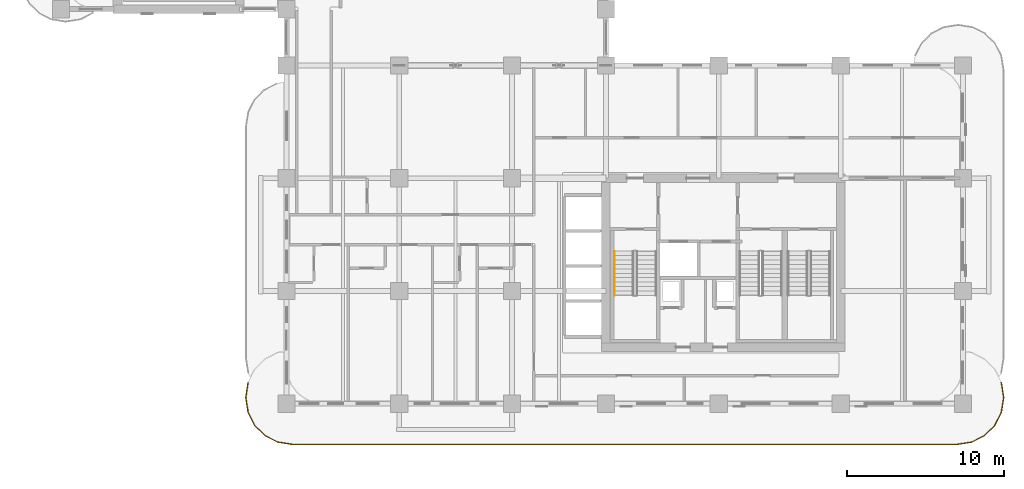
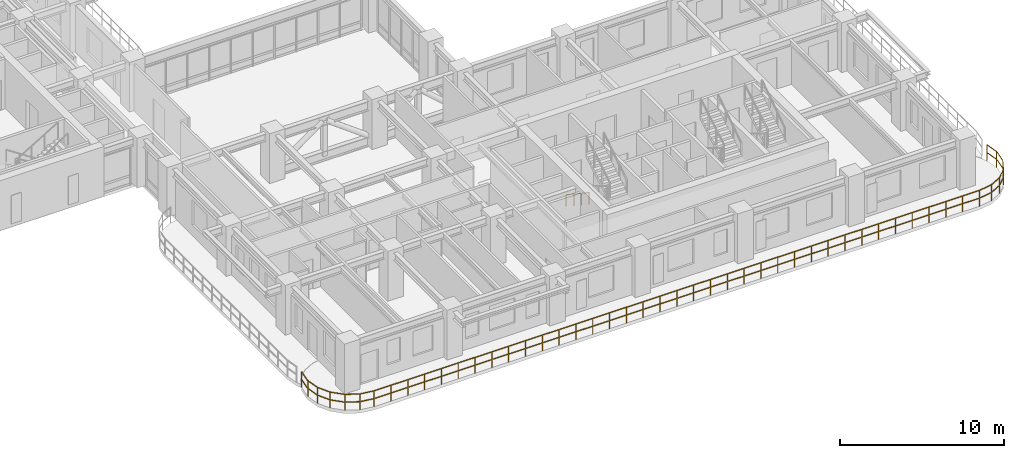
# One storey, part 18 of 21: 2 railings.
"""IFC4 building model written with IfcOpenShell, lengths in metres."""

from ifc_helpers import new_model, si_unit, derived_unit, direction, frame, origin, origin_2d, place, context, subcontext, project, spatial, rectangle, extrude, material, type_object, element, save


model = new_model("IFC4")

# Units and contexts
model_context = context("Model", 3, precision=1e-05, world=origin(), true_north=direction((0.0, 1.0)))
body_context = subcontext(model_context, "Body", "Model", "MODEL_VIEW")
ifc_project = project(units=[si_unit("LENGTHUNIT", "METRE"), si_unit("AREAUNIT", "SQUARE_METRE"), si_unit("VOLUMEUNIT", "CUBIC_METRE"), si_unit("PLANEANGLEUNIT", "RADIAN"), si_unit("MASSUNIT", "GRAM", prefix="KILO"), si_unit("THERMODYNAMICTEMPERATUREUNIT", "KELVIN"), si_unit("POWERUNIT", "WATT"), derived_unit("THERMALTRANSMITTANCEUNIT", [(si_unit("POWERUNIT", "WATT"), 1), (si_unit("AREAUNIT", "SQUARE_METRE"), -1), (si_unit("THERMODYNAMICTEMPERATUREUNIT", "KELVIN"), -1)])], contexts=[model_context])

# Site, building, storey
site_placement = place(None, origin())
site = spatial("IfcSite", under=ifc_project, at=site_placement, CompositionType="ELEMENT")
building_placement = place(site_placement, origin())
building = spatial("IfcBuilding", under=site, at=building_placement, Name="Zahravan Archway Hotel and Residences", CompositionType="ELEMENT")
storey_placement = place(building_placement, frame((0.0, 0.0, 69.39990234375)))
storey = spatial("IfcBuildingStorey", under=building, at=storey_placement, Name="L16", CompositionType="ELEMENT", Elevation=69.39990234375)

# Railings
ifc_material_1 = material(Name="Bronze & Laminated Glass Balustrade", Category="glass")
railing_type_1 = type_object("IfcRailingType", Name="RL-BAL-1200", PredefinedType="BALUSTRADE", material=ifc_material_1)
railing_1_placement = place(storey_placement, frame((60.0556640625, 1.361572265625, 0.0)))
element("IfcRailing", 1, at=railing_1_placement, inside=storey, type_object=railing_type_1, Name="L16 Balustrade RL-SLB-BAL-L16-SA-1", PredefinedType="BALUSTRADE", context=body_context, shape_type="SweptSolid", body=[
    extrude(rectangle(XDim=0.048095703125, YDim=0.048095703125, at=origin_2d()), frame((0.0, 0.0, 1.17578125), z_axis=(0.156329311416, -0.987704989555, 0.0), x_axis=(0.987704989555, 0.156329311416, 0.0)), (0.0, 0.0, 1.0), 0.9228515625),
    extrude(rectangle(XDim=0.048095703125, YDim=0.048095703125, at=origin_2d()), frame((0.0, 0.0, 0.60009765625), z_axis=(0.156329311416, -0.987704989555, 0.0), x_axis=(0.987704989555, 0.156329311416, 0.0)), (0.0, 0.0, 1.0), 0.9228515625),
    extrude(rectangle(XDim=0.048095703125, YDim=0.048095703125, at=origin_2d()), frame((0.144287109375, -0.91162109375, 1.17578125), z_axis=(0.0, -1.0, 0.0), x_axis=(1.0, 0.0, 0.0)), (0.0, 0.0, 1.0), 0.099853515625),
    extrude(rectangle(XDim=0.048095703125, YDim=0.048095703125, at=origin_2d()), frame((0.144287109375, -0.91162109375, 0.60009765625), z_axis=(0.0, -1.0, 0.0), x_axis=(1.0, 0.0, 0.0)), (0.0, 0.0, 1.0), 0.099853515625),
    extrude(rectangle(XDim=0.048095703125, YDim=0.048095703125, at=origin_2d()), frame((0.144287109375, -1.011474609375, 1.17578125), z_axis=(-0.156329311416, -0.987704989555, 0.0), x_axis=(0.987704989555, -0.156329311416, 0.0)), (0.0, 0.0, 1.0), 0.9228515625),
    extrude(rectangle(XDim=0.048095703125, YDim=0.048095703125, at=origin_2d()), frame((0.144287109375, -1.011474609375, 0.60009765625), z_axis=(-0.156329311416, -0.987704989555, 0.0), x_axis=(0.987704989555, -0.156329311416, 0.0)), (0.0, 0.0, 1.0), 0.9228515625),
    extrude(rectangle(XDim=0.048095703125, YDim=0.048095703125, at=origin_2d()), frame((0.0, -1.923095703125, 1.17578125), z_axis=(-0.453866348456, -0.891069771532, 0.0), x_axis=(0.891069771532, -0.453866348456, 0.0)), (0.0, 0.0, 1.0), 0.923095703125),
    extrude(rectangle(XDim=0.048095703125, YDim=0.048095703125, at=origin_2d()), frame((0.0, -1.923095703125, 0.60009765625), z_axis=(-0.453866348456, -0.891069771532, 0.0), x_axis=(0.891069771532, -0.453866348456, 0.0)), (0.0, 0.0, 1.0), 0.923095703125),
    extrude(rectangle(XDim=0.048095703125, YDim=0.048095703125, at=origin_2d()), frame((-0.4189453125, -2.74560546875, 1.17578125), z_axis=(-0.707239012465, -0.706974525176, 0.0), x_axis=(0.706974525176, -0.707239012465, 0.0)), (0.0, 0.0, 1.0), 0.923095703125),
    extrude(rectangle(XDim=0.048095703125, YDim=0.048095703125, at=origin_2d()), frame((-0.4189453125, -2.74560546875, 0.60009765625), z_axis=(-0.707239012465, -0.706974525176, 0.0), x_axis=(0.706974525176, -0.707239012465, 0.0)), (0.0, 0.0, 1.0), 0.923095703125),
    extrude(rectangle(XDim=0.048095703125, YDim=0.048095703125, at=origin_2d()), frame((-1.07177734375, -3.398193359375, 1.17578125), z_axis=(-0.891015268556, -0.453973337542, 0.0), x_axis=(0.453973337542, -0.891015268556, 0.0)), (0.0, 0.0, 1.0), 0.9228515625),
    extrude(rectangle(XDim=0.048095703125, YDim=0.048095703125, at=origin_2d()), frame((-1.07177734375, -3.398193359375, 0.60009765625), z_axis=(-0.891015268556, -0.453973337542, 0.0), x_axis=(0.453973337542, -0.891015268556, 0.0)), (0.0, 0.0, 1.0), 0.9228515625),
    extrude(rectangle(XDim=0.048095703125, YDim=0.048095703125, at=origin_2d()), frame((-1.89404296875, -3.817138671875, 1.17578125), z_axis=(-0.98766411426, -0.156587347521, 0.0), x_axis=(0.156587347521, -0.98766411426, 0.0)), (0.0, 0.0, 1.0), 0.923095703125),
    extrude(rectangle(XDim=0.048095703125, YDim=0.048095703125, at=origin_2d()), frame((-1.89404296875, -3.817138671875, 0.60009765625), z_axis=(-0.98766411426, -0.156587347521, 0.0), x_axis=(0.156587347521, -0.98766411426, 0.0)), (0.0, 0.0, 1.0), 0.923095703125),
    extrude(rectangle(XDim=0.048095703125, YDim=0.048095703125, at=origin_2d()), frame((-2.8056640625, -3.961669921875, 1.17578125), z_axis=(-1.0, 0.0, 0.0), x_axis=(0.0, -1.0, 0.0)), (0.0, 0.0, 1.0), 42.5),
    extrude(rectangle(XDim=0.048095703125, YDim=0.048095703125, at=origin_2d()), frame((-2.8056640625, -3.961669921875, 0.60009765625), z_axis=(-1.0, 0.0, 0.0), x_axis=(0.0, -1.0, 0.0)), (0.0, 0.0, 1.0), 42.5),
    extrude(rectangle(XDim=0.048095703125, YDim=0.048095703125, at=origin_2d()), frame((-45.3056640625, -3.961669921875, 1.17578125), z_axis=(-0.98766411426, 0.156587347521, 0.0), x_axis=(-0.156587347521, -0.98766411426, 0.0)), (0.0, 0.0, 1.0), 0.923095703125),
    extrude(rectangle(XDim=0.048095703125, YDim=0.048095703125, at=origin_2d()), frame((-45.3056640625, -3.961669921875, 0.60009765625), z_axis=(-0.98766411426, 0.156587347521, 0.0), x_axis=(-0.156587347521, -0.98766411426, 0.0)), (0.0, 0.0, 1.0), 0.923095703125),
    extrude(rectangle(XDim=0.048095703125, YDim=0.048095703125, at=origin_2d()), frame((-46.21728515625, -3.817138671875, 1.17578125), z_axis=(-0.891015268556, 0.453973337542, 0.0), x_axis=(-0.453973337542, -0.891015268556, 0.0)), (0.0, 0.0, 1.0), 0.9228515625),
    extrude(rectangle(XDim=0.048095703125, YDim=0.048095703125, at=origin_2d()), frame((-46.21728515625, -3.817138671875, 0.60009765625), z_axis=(-0.891015268556, 0.453973337542, 0.0), x_axis=(-0.453973337542, -0.891015268556, 0.0)), (0.0, 0.0, 1.0), 0.9228515625),
    extrude(rectangle(XDim=0.048095703125, YDim=0.048095703125, at=origin_2d()), frame((-47.03955078125, -3.398193359375, 1.17578125), z_axis=(-0.707239012465, 0.706974525176, 0.0), x_axis=(-0.706974525176, -0.707239012465, 0.0)), (0.0, 0.0, 1.0), 0.923095703125),
    extrude(rectangle(XDim=0.048095703125, YDim=0.048095703125, at=origin_2d()), frame((-47.03955078125, -3.398193359375, 0.60009765625), z_axis=(-0.707239012465, 0.706974525176, 0.0), x_axis=(-0.706974525176, -0.707239012465, 0.0)), (0.0, 0.0, 1.0), 0.923095703125),
    extrude(rectangle(XDim=0.048095703125, YDim=0.048095703125, at=origin_2d()), frame((-47.6923828125, -2.74560546875, 1.17578125), z_axis=(-0.453866348456, 0.891069771532, 0.0), x_axis=(-0.891069771532, -0.453866348456, 0.0)), (0.0, 0.0, 1.0), 0.923095703125),
    extrude(rectangle(XDim=0.048095703125, YDim=0.048095703125, at=origin_2d()), frame((-47.6923828125, -2.74560546875, 0.60009765625), z_axis=(-0.453866348456, 0.891069771532, 0.0), x_axis=(-0.891069771532, -0.453866348456, 0.0)), (0.0, 0.0, 1.0), 0.923095703125),
    extrude(rectangle(XDim=0.048095703125, YDim=0.048095703125, at=origin_2d()), frame((-48.111328125, -1.923095703125, 1.17578125), z_axis=(-0.156329311416, 0.987704989555, 0.0), x_axis=(-0.987704989555, -0.156329311416, 0.0)), (0.0, 0.0, 1.0), 0.9228515625),
    extrude(rectangle(XDim=0.048095703125, YDim=0.048095703125, at=origin_2d()), frame((-48.111328125, -1.923095703125, 0.60009765625), z_axis=(-0.156329311416, 0.987704989555, 0.0), x_axis=(-0.987704989555, -0.156329311416, 0.0)), (0.0, 0.0, 1.0), 0.9228515625),
    extrude(rectangle(XDim=0.048095703125, YDim=0.048095703125, at=origin_2d()), frame((-48.255615234375, -1.011474609375, 1.17578125), z_axis=(0.0, 1.0, 0.0), x_axis=(-1.0, 0.0, 0.0)), (0.0, 0.0, 1.0), 0.099853515625),
    extrude(rectangle(XDim=0.048095703125, YDim=0.048095703125, at=origin_2d()), frame((-48.255615234375, -1.011474609375, 0.60009765625), z_axis=(0.0, 1.0, 0.0), x_axis=(-1.0, 0.0, 0.0)), (0.0, 0.0, 1.0), 0.099853515625),
    extrude(rectangle(XDim=0.048095703125, YDim=0.048095703125, at=origin_2d()), frame((-48.255615234375, -0.91162109375, 1.17578125), z_axis=(0.156329311416, 0.987704989555, 0.0), x_axis=(-0.987704989555, 0.156329311416, 0.0)), (0.0, 0.0, 1.0), 0.9228515625),
    extrude(rectangle(XDim=0.048095703125, YDim=0.048095703125, at=origin_2d()), frame((-48.255615234375, -0.91162109375, 0.60009765625), z_axis=(0.156329311416, 0.987704989555, 0.0), x_axis=(-0.987704989555, 0.156329311416, 0.0)), (0.0, 0.0, 1.0), 0.9228515625),
    extrude(rectangle(XDim=0.0419921875, YDim=0.0419921875, at=origin_2d()), origin(), (0.0, 0.0, 1.0), 1.15185546875),
    extrude(rectangle(XDim=0.0419921875, YDim=0.0419921875, at=origin_2d()), frame((0.144287109375, -0.91162109375, 0.0)), (0.0, 0.0, 1.0), 1.15185546875),
    extrude(rectangle(XDim=0.0419921875, YDim=0.0419921875, at=origin_2d()), frame((0.0, -1.923095703125, 0.0)), (0.0, 0.0, 1.0), 1.15185546875),
    extrude(rectangle(XDim=0.0419921875, YDim=0.0419921875, at=origin_2d()), frame((-0.4189453125, -2.74560546875, 0.0)), (0.0, 0.0, 1.0), 1.15185546875),
    extrude(rectangle(XDim=0.0419921875, YDim=0.0419921875, at=origin_2d()), frame((-1.07177734375, -3.398193359375, 0.0)), (0.0, 0.0, 1.0), 1.15185546875),
    extrude(rectangle(XDim=0.0419921875, YDim=0.0419921875, at=origin_2d()), frame((-1.89404296875, -3.817138671875, 0.0)), (0.0, 0.0, 1.0), 1.15185546875),
    extrude(rectangle(XDim=0.0419921875, YDim=0.0419921875, at=origin_2d()), frame((-2.8056640625, -3.961669921875, 0.0)), (0.0, 0.0, 1.0), 1.15185546875),
    extrude(rectangle(XDim=0.0419921875, YDim=0.0419921875, at=origin_2d()), frame((-3.986328125, -3.961669921875, 0.0)), (0.0, 0.0, 1.0), 1.15185546875),
    extrude(rectangle(XDim=0.0419921875, YDim=0.0419921875, at=origin_2d()), frame((-5.166748046875, -3.961669921875, 0.0)), (0.0, 0.0, 1.0), 1.15185546875),
    extrude(rectangle(XDim=0.0419921875, YDim=0.0419921875, at=origin_2d()), frame((-6.347412109375, -3.961669921875, 0.0)), (0.0, 0.0, 1.0), 1.15185546875),
    extrude(rectangle(XDim=0.0419921875, YDim=0.0419921875, at=origin_2d()), frame((-7.52783203125, -3.961669921875, 0.0)), (0.0, 0.0, 1.0), 1.15185546875),
    extrude(rectangle(XDim=0.0419921875, YDim=0.0419921875, at=origin_2d()), frame((-8.70849609375, -3.961669921875, 0.0)), (0.0, 0.0, 1.0), 1.15185546875),
    extrude(rectangle(XDim=0.0419921875, YDim=0.0419921875, at=origin_2d()), frame((-9.888916015625, -3.961669921875, 0.0)), (0.0, 0.0, 1.0), 1.15185546875),
    extrude(rectangle(XDim=0.0419921875, YDim=0.0419921875, at=origin_2d()), frame((-11.069580078125, -3.961669921875, 0.0)), (0.0, 0.0, 1.0), 1.15185546875),
    extrude(rectangle(XDim=0.0419921875, YDim=0.0419921875, at=origin_2d()), frame((-12.25, -3.961669921875, 0.0)), (0.0, 0.0, 1.0), 1.15185546875),
    extrude(rectangle(XDim=0.0419921875, YDim=0.0419921875, at=origin_2d()), frame((-13.4306640625, -3.961669921875, 0.0)), (0.0, 0.0, 1.0), 1.15185546875),
    extrude(rectangle(XDim=0.0419921875, YDim=0.0419921875, at=origin_2d()), frame((-14.611328125, -3.961669921875, 0.0)), (0.0, 0.0, 1.0), 1.15185546875),
    extrude(rectangle(XDim=0.0419921875, YDim=0.0419921875, at=origin_2d()), frame((-15.791748046875, -3.961669921875, 0.0)), (0.0, 0.0, 1.0), 1.15185546875),
    extrude(rectangle(XDim=0.0419921875, YDim=0.0419921875, at=origin_2d()), frame((-16.972412109375, -3.961669921875, 0.0)), (0.0, 0.0, 1.0), 1.15185546875),
    extrude(rectangle(XDim=0.0419921875, YDim=0.0419921875, at=origin_2d()), frame((-18.15283203125, -3.961669921875, 0.0)), (0.0, 0.0, 1.0), 1.15185546875),
    extrude(rectangle(XDim=0.0419921875, YDim=0.0419921875, at=origin_2d()), frame((-19.33349609375, -3.961669921875, 0.0)), (0.0, 0.0, 1.0), 1.15185546875),
    extrude(rectangle(XDim=0.0419921875, YDim=0.0419921875, at=origin_2d()), frame((-20.513916015625, -3.961669921875, 0.0)), (0.0, 0.0, 1.0), 1.15185546875),
    extrude(rectangle(XDim=0.0419921875, YDim=0.0419921875, at=origin_2d()), frame((-21.694580078125, -3.961669921875, 0.0)), (0.0, 0.0, 1.0), 1.15185546875),
    extrude(rectangle(XDim=0.0419921875, YDim=0.0419921875, at=origin_2d()), frame((-22.875, -3.961669921875, 0.0)), (0.0, 0.0, 1.0), 1.15185546875),
    extrude(rectangle(XDim=0.0419921875, YDim=0.0419921875, at=origin_2d()), frame((-24.0556640625, -3.961669921875, 0.0)), (0.0, 0.0, 1.0), 1.15185546875),
    extrude(rectangle(XDim=0.0419921875, YDim=0.0419921875, at=origin_2d()), frame((-25.236328125, -3.961669921875, 0.0)), (0.0, 0.0, 1.0), 1.15185546875),
    extrude(rectangle(XDim=0.0419921875, YDim=0.0419921875, at=origin_2d()), frame((-26.416748046875, -3.961669921875, 0.0)), (0.0, 0.0, 1.0), 1.15185546875),
    extrude(rectangle(XDim=0.0419921875, YDim=0.0419921875, at=origin_2d()), frame((-27.597412109375, -3.961669921875, 0.0)), (0.0, 0.0, 1.0), 1.15185546875),
    extrude(rectangle(XDim=0.0419921875, YDim=0.0419921875, at=origin_2d()), frame((-28.77783203125, -3.961669921875, 0.0)), (0.0, 0.0, 1.0), 1.15185546875),
    extrude(rectangle(XDim=0.0419921875, YDim=0.0419921875, at=origin_2d()), frame((-29.95849609375, -3.961669921875, 0.0)), (0.0, 0.0, 1.0), 1.15185546875),
    extrude(rectangle(XDim=0.0419921875, YDim=0.0419921875, at=origin_2d()), frame((-31.138916015625, -3.961669921875, 0.0)), (0.0, 0.0, 1.0), 1.15185546875),
    extrude(rectangle(XDim=0.0419921875, YDim=0.0419921875, at=origin_2d()), frame((-32.319580078125, -3.961669921875, 0.0)), (0.0, 0.0, 1.0), 1.15185546875),
    extrude(rectangle(XDim=0.0419921875, YDim=0.0419921875, at=origin_2d()), frame((-33.5, -3.961669921875, 0.0)), (0.0, 0.0, 1.0), 1.15185546875),
    extrude(rectangle(XDim=0.0419921875, YDim=0.0419921875, at=origin_2d()), frame((-34.6806640625, -3.961669921875, 0.0)), (0.0, 0.0, 1.0), 1.15185546875),
    extrude(rectangle(XDim=0.0419921875, YDim=0.0419921875, at=origin_2d()), frame((-35.861328125, -3.961669921875, 0.0)), (0.0, 0.0, 1.0), 1.15185546875),
    extrude(rectangle(XDim=0.0419921875, YDim=0.0419921875, at=origin_2d()), frame((-37.041748046875, -3.961669921875, 0.0)), (0.0, 0.0, 1.0), 1.15185546875),
    extrude(rectangle(XDim=0.0419921875, YDim=0.0419921875, at=origin_2d()), frame((-38.222412109375, -3.961669921875, 0.0)), (0.0, 0.0, 1.0), 1.15185546875),
    extrude(rectangle(XDim=0.0419921875, YDim=0.0419921875, at=origin_2d()), frame((-39.40283203125, -3.961669921875, 0.0)), (0.0, 0.0, 1.0), 1.15185546875),
    extrude(rectangle(XDim=0.0419921875, YDim=0.0419921875, at=origin_2d()), frame((-40.58349609375, -3.961669921875, 0.0)), (0.0, 0.0, 1.0), 1.15185546875),
    extrude(rectangle(XDim=0.0419921875, YDim=0.0419921875, at=origin_2d()), frame((-41.763916015625, -3.961669921875, 0.0)), (0.0, 0.0, 1.0), 1.15185546875),
    extrude(rectangle(XDim=0.0419921875, YDim=0.0419921875, at=origin_2d()), frame((-42.944580078125, -3.961669921875, 0.0)), (0.0, 0.0, 1.0), 1.15185546875),
    extrude(rectangle(XDim=0.0419921875, YDim=0.0419921875, at=origin_2d()), frame((-44.125, -3.961669921875, 0.0)), (0.0, 0.0, 1.0), 1.15185546875),
    extrude(rectangle(XDim=0.0419921875, YDim=0.0419921875, at=origin_2d()), frame((-45.3056640625, -3.961669921875, 0.0)), (0.0, 0.0, 1.0), 1.15185546875),
    extrude(rectangle(XDim=0.0419921875, YDim=0.0419921875, at=origin_2d()), frame((-46.21728515625, -3.817138671875, 0.0)), (0.0, 0.0, 1.0), 1.15185546875),
    extrude(rectangle(XDim=0.0419921875, YDim=0.0419921875, at=origin_2d()), frame((-47.03955078125, -3.398193359375, 0.0)), (0.0, 0.0, 1.0), 1.15185546875),
    extrude(rectangle(XDim=0.0419921875, YDim=0.0419921875, at=origin_2d()), frame((-47.6923828125, -2.74560546875, 0.0)), (0.0, 0.0, 1.0), 1.15185546875),
    extrude(rectangle(XDim=0.0419921875, YDim=0.0419921875, at=origin_2d()), frame((-48.111328125, -1.923095703125, 0.0)), (0.0, 0.0, 1.0), 1.15185546875),
    extrude(rectangle(XDim=0.0419921875, YDim=0.0419921875, at=origin_2d()), frame((-48.255615234375, -1.011474609375, 0.0)), (0.0, 0.0, 1.0), 1.15185546875),
    extrude(rectangle(XDim=0.0419921875, YDim=0.0419921875, at=origin_2d()), frame((-48.111328125, 0.0, 0.0)), (0.0, 0.0, 1.0), 1.15185546875),
])
ifc_material_2 = material(Name="Brushed Stainless Steel", Category="steel")
railing_type_2 = type_object("IfcRailingType", Name="RL-STH-900", PredefinedType="HANDRAIL", material=ifc_material_2)
railing_2_placement = place(storey_placement, frame((35.35009765625, 9.72998046875, 0.168212890625)))
element("IfcRailing", 2, at=railing_2_placement, inside=storey, type_object=railing_type_2, Name="L16 ST-A1 stair handrail 1", PredefinedType="HANDRAIL", context=body_context, shape_type="SweptSolid", body=[
    extrude(rectangle(XDim=0.048095703125, YDim=0.048095703125, at=origin_2d()), frame((0.0, 0.0, 0.8759765625), z_axis=(0.0, -0.834326358476, 0.551270829586), x_axis=(1.0, 0.0, 0.0)), (0.0, 0.0, 1.0), 3.35595703125),
    extrude(rectangle(XDim=0.0419921875, YDim=0.0419921875, at=origin_2d()), origin(), (0.0, 0.0, 1.0), 0.851806640625),
    extrude(rectangle(XDim=0.0419921875, YDim=0.0419921875, at=origin_2d()), frame((0.0, -0.933349609375, 0.61669921875)), (0.0, 0.0, 1.0), 0.851806640625),
    extrude(rectangle(XDim=0.0419921875, YDim=0.0419921875, at=origin_2d()), frame((0.0, -1.86669921875, 1.2333984375)), (0.0, 0.0, 1.0), 0.851806640625),
    extrude(rectangle(XDim=0.0419921875, YDim=0.0419921875, at=origin_2d()), frame((0.0, -2.800048828125, 1.85009765625)), (0.0, 0.0, 1.0), 0.851806640625),
])

save(model, "model.ifc")
